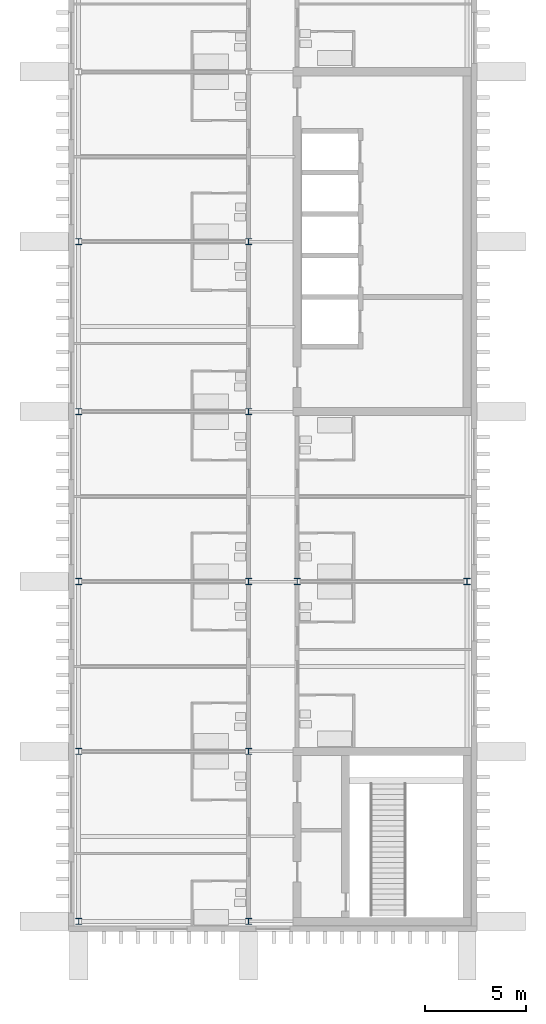
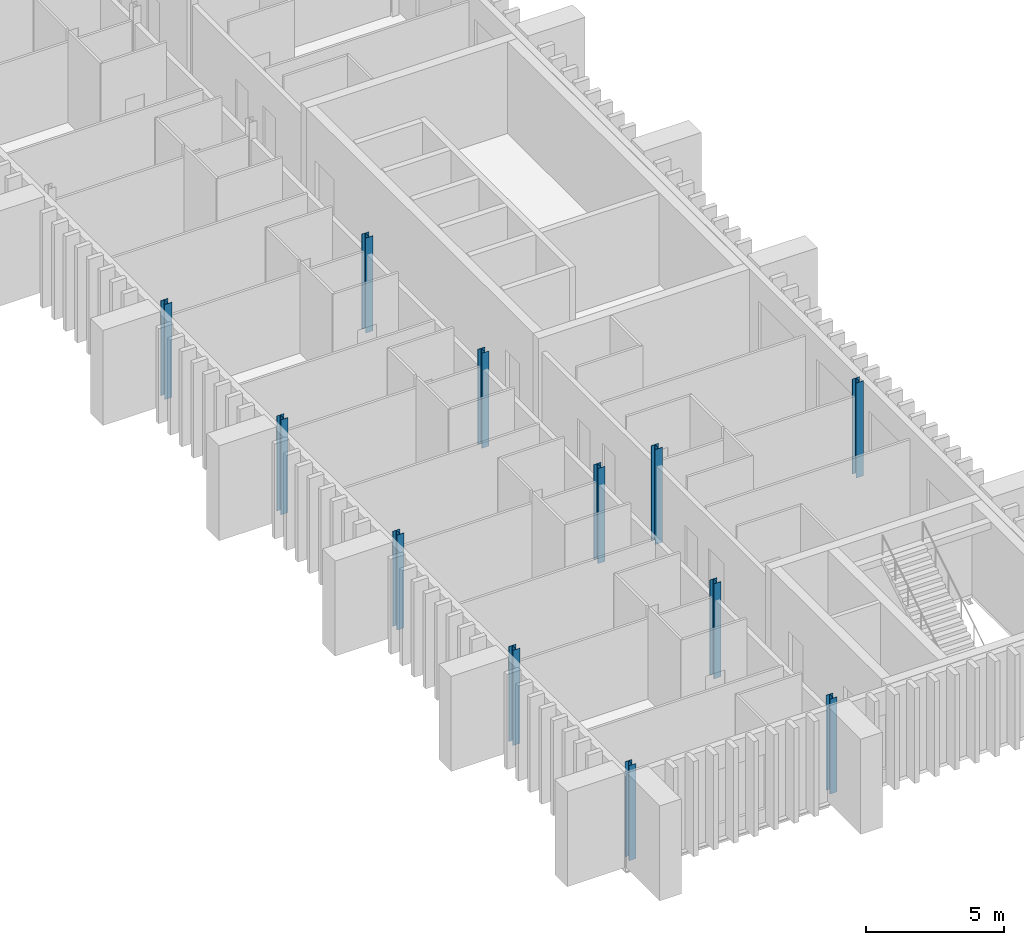
# One storey, part 1 of 11: 12 columns.
"""IFC4 building model written with IfcOpenShell, lengths in metres."""

from ifc_helpers import new_model, si_unit, direction, frame, origin, origin_2d, place, context, subcontext, project, spatial, i_section, extrude, material, material_profile, profile_set, type_object, element, save


model = new_model("IFC4")

# Units and contexts
model_context = context("Model", 3, precision=1e-05, world=origin(), true_north=direction((0.0, 1.0)))
body_context = subcontext(model_context, "Body", "Model", "MODEL_VIEW")
ifc_project = project(units=[si_unit("LENGTHUNIT", "METRE"), si_unit("AREAUNIT", "SQUARE_METRE"), si_unit("VOLUMEUNIT", "CUBIC_METRE"), si_unit("PLANEANGLEUNIT", "RADIAN"), si_unit("MASSUNIT", "GRAM", prefix="KILO")], contexts=[model_context])

# Site, building, storey
site_placement = place(None, origin())
site = spatial("IfcSite", under=ifc_project, at=site_placement, CompositionType="ELEMENT")
building_placement = place(site_placement, origin())
building = spatial("IfcBuilding", under=site, at=building_placement, Name="Cresset Court Congress Hotel", CompositionType="ELEMENT")
storey_placement = place(building_placement, frame((0.0, 0.0, 60.60009765625)))
storey = spatial("IfcBuildingStorey", under=building, at=storey_placement, Name="L14", CompositionType="ELEMENT", Elevation=60.60009765625)

# Columns
ifc_material = material(Name="Structural steel Q355B", Category="steel")
ifc_material_profile = material_profile(ifc_material, i_section(OverallWidth=0.300048828125, OverallDepth=0.300048828125, WebThickness=0.010009765625, FlangeThickness=0.014892578125, FilletRadius=0.012939453125, at=origin_2d()), Name="HW300x300x10x15")
ifc_profile_set = profile_set([ifc_material_profile], Name="Structural steel Q355B")
column_type = type_object("IfcColumnType", Name="Steel column HW300x300x10x15", PredefinedType="COLUMN", material=ifc_profile_set)
for number, where, z_axis, x_axis, name in (
    (1, (157.199951171875, 0.0, 0.0), (0.0, 0.0, 1.0), (1.0, 0.0, 0.0), "Column L14 1-20"),
    (2, (157.199951171875, 8.39990234375, 0.0), (0.0, 0.0, 1.0), (1.0, 0.0, 0.0), "Column L14 2-20"),
    (3, (157.199951171875, 16.800048828125, 0.0), (0.0, 0.0, 1.0), (1.0, 0.0, 0.0), "Column L14 3-20"),
    (4, (157.199951171875, 25.199951171875, 0.0), (0.0, 0.0, 1.0), (1.0, 0.0, 0.0), "Column L14 4-20"),
    (5, (157.199951171875, 33.60009765625, 0.0), (0.0, 0.0, 1.0), (1.0, 0.0, 0.0), "Column L14 5-20"),
    (6, (165.60009765625, 0.0, 0.0), (0.0, 0.0, 1.0), (1.0, 0.0, 0.0), "Column L14 1-21"),
    (7, (165.60009765625, 8.39990234375, 0.0), (0.0, 0.0, 1.0), (1.0, 0.0, 0.0), "Column L14 2-21"),
    (8, (165.60009765625, 16.800048828125, 0.0), (0.0, 0.0, 1.0), (1.0, 0.0, 0.0), "Column L14 3-21"),
    (9, (165.60009765625, 25.199951171875, 0.0), (0.0, 0.0, 1.0), (1.0, 0.0, 0.0), "Column L14 4-21"),
    (10, (165.60009765625, 33.60009765625, 0.0), (0.0, 0.0, 1.0), (1.0, 0.0, 0.0), "Column L14 5-21"),
    (11, (168.0, 16.800048828125, 0.0), (0.0, 0.0, 1.0), (1.0, 0.0, 0.0), "Column L14 3-22"),
    (12, (176.39990234375, 16.800048828125, 0.0), (0.0, 0.0, 1.0), (1.0, 0.0, 0.0), "Column L14 3-23"),
):
    element("IfcColumn", number, at=place(storey_placement, frame(where, z_axis=z_axis, x_axis=x_axis)), inside=storey, type_object=column_type, Name=name, PredefinedType="COLUMN", context=body_context, shape_type="SweptSolid", body=[
        extrude(i_section(OverallWidth=0.300048828125, OverallDepth=0.300048828125, WebThickness=0.010009765625, FlangeThickness=0.014892578125, FilletRadius=0.012939453125, at=origin_2d()), origin(), (0.0, 0.0, 1.0), 4.199951171875),
    ])

save(model, "model.ifc")
